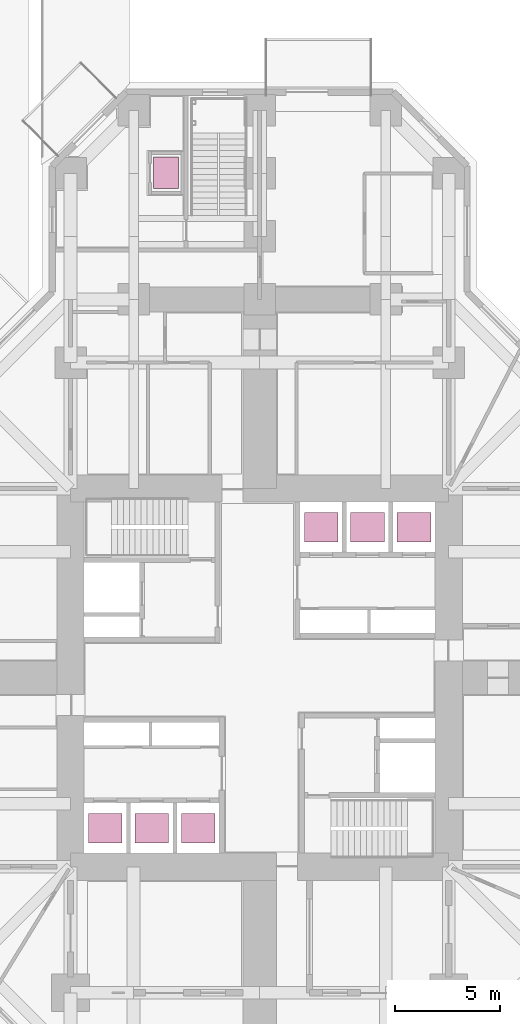
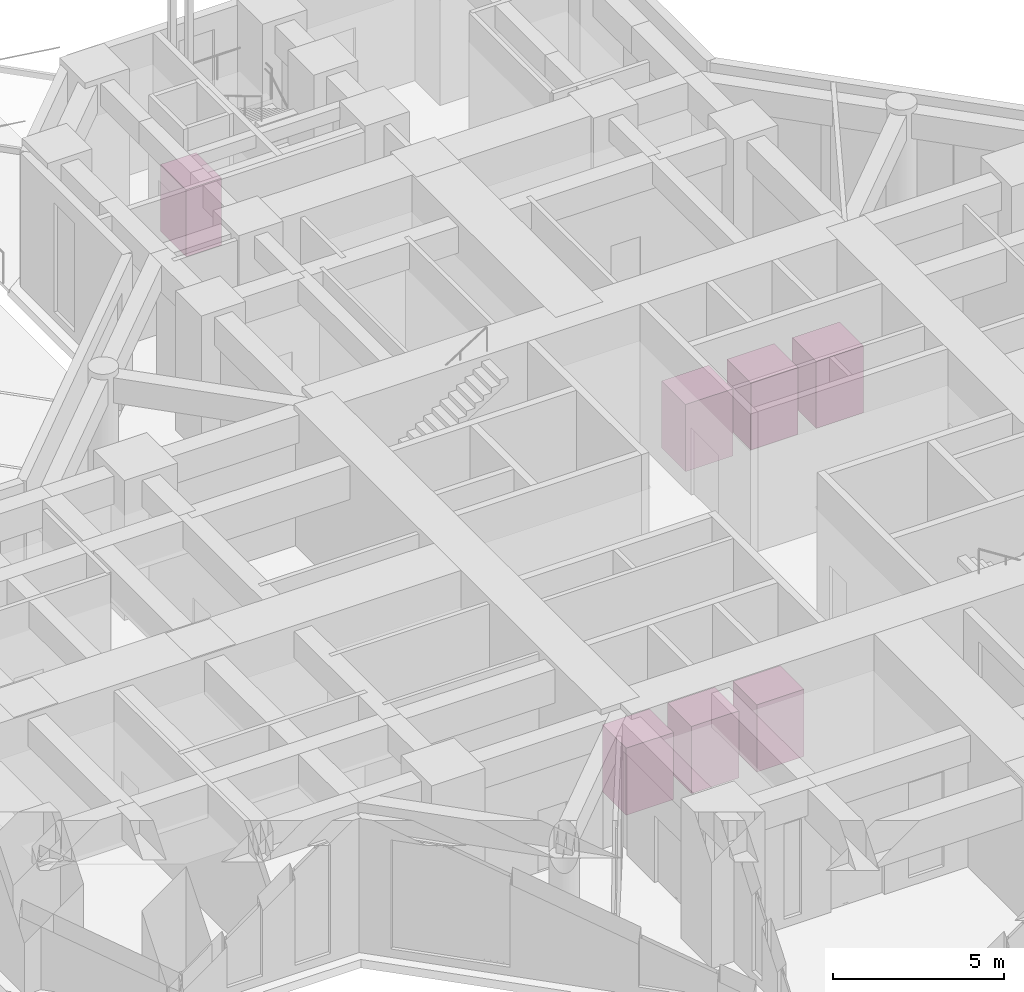
# One storey, part 14 of 14: 7 transport elements.
"""IFC4 building model written with IfcOpenShell, lengths in metres."""

from ifc_helpers import new_model, si_unit, direction, frame, origin, origin_2d, place, context, subcontext, project, spatial, rectangle, extrude, material, type_object, element, save


model = new_model("IFC4")

# Units and contexts
model_context = context("Model", 3, precision=1e-05, world=origin(), true_north=direction((0.0, 1.0)))
body_context = subcontext(model_context, "Body", "Model", "MODEL_VIEW")
ifc_project = project(units=[si_unit("LENGTHUNIT", "METRE"), si_unit("AREAUNIT", "SQUARE_METRE"), si_unit("VOLUMEUNIT", "CUBIC_METRE"), si_unit("PLANEANGLEUNIT", "RADIAN"), si_unit("MASSUNIT", "GRAM", prefix="KILO")], contexts=[model_context])

# Site, building, storey
site_placement = place(None, origin())
site = spatial("IfcSite", under=ifc_project, at=site_placement, CompositionType="ELEMENT")
building_placement = place(site_placement, origin())
building = spatial("IfcBuilding", under=site, at=building_placement, Name="Torre Cruceta", CompositionType="ELEMENT")
storey_placement = place(building_placement, origin())
storey = spatial("IfcBuildingStorey", under=building, at=storey_placement, Name="L00", CompositionType="ELEMENT", Elevation=0.0)

# Transport elements
ifc_material_1 = material(Name="Stainless steel 1.4401", Category="steel")
transport_element_type_1 = type_object("IfcTransportElementType", Name="CO-LIVING PASSENGER LIFT CAR 1600X1400", PredefinedType="ELEVATOR", material=ifc_material_1)
for number, where, z_axis, x_axis, name in (
    (1, (-2.92919921875, -7.16259765625, 0.0), (0.0, 0.0, 1.0), (1.0, 0.0, 0.0), "Lift R1"),
    (2, (-5.137451171875, -7.16259765625, 0.0), (0.0, 0.0, 1.0), (1.0, 0.0, 0.0), "Lift R2"),
    (3, (-7.345947265625, -7.16259765625, 0.0), (0.0, 0.0, 1.0), (1.0, 0.0, 0.0), "Lift R3"),
):
    element("IfcTransportElement", number, at=place(storey_placement, frame(where, z_axis=z_axis, x_axis=x_axis)), inside=storey, type_object=transport_element_type_1, Name=name, PredefinedType="ELEVATOR", context=body_context, shape_type="SweptSolid", body=[
        extrude(rectangle(XDim=1.60009765625, YDim=1.39990234375, at=origin_2d()), origin(), (0.0, 0.0, 1.0), 2.39990234375),
    ])
ifc_material_2 = material(Name="Stainless steel 1.4401", Category="steel")
transport_element_type_2 = type_object("IfcTransportElementType", Name="OFFICE PASSENGER LIFT CAR 1600X1400", PredefinedType="ELEVATOR", material=ifc_material_2)
for number, where, z_axis, x_axis, name in (
    (4, (2.92919921875, 7.16259765625, 0.0), (0.0, 0.0, 1.0), (1.0, 0.0, 0.0), "Lift P1"),
    (5, (5.137451171875, 7.16259765625, 0.0), (0.0, 0.0, 1.0), (1.0, 0.0, 0.0), "Lift P2"),
    (6, (7.345947265625, 7.16259765625, 0.0), (0.0, 0.0, 1.0), (1.0, 0.0, 0.0), "Lift P3"),
):
    element("IfcTransportElement", number, at=place(storey_placement, frame(where, z_axis=z_axis, x_axis=x_axis)), inside=storey, type_object=transport_element_type_2, Name=name, PredefinedType="ELEVATOR", context=body_context, shape_type="SweptSolid", body=[
        extrude(rectangle(XDim=1.60009765625, YDim=1.39990234375, at=origin_2d()), origin(), (0.0, 0.0, 1.0), 2.39990234375),
    ])
ifc_material_3 = material(Name="Stainless steel 1.4401", Category="steel")
transport_element_type_3 = type_object("IfcTransportElementType", Name="SCHOOL PLATFORM LIFT CAR 1200X1500", PredefinedType="ELEVATOR", material=ifc_material_3)
transport_element_placement = place(storey_placement, frame((-4.449951171875, 24.02490234375, 0.0), z_axis=(0.0, 0.0, 1.0), x_axis=(1.0, 0.0, 0.0)))
element("IfcTransportElement", 7, at=transport_element_placement, inside=storey, type_object=transport_element_type_3, Name="Lift S1", PredefinedType="ELEVATOR", context=body_context, shape_type="SweptSolid", body=[
    extrude(rectangle(XDim=1.199951171875, YDim=1.5, at=origin_2d()), origin(), (0.0, 0.0, 1.0), 2.39990234375),
])

save(model, "model.ifc")
